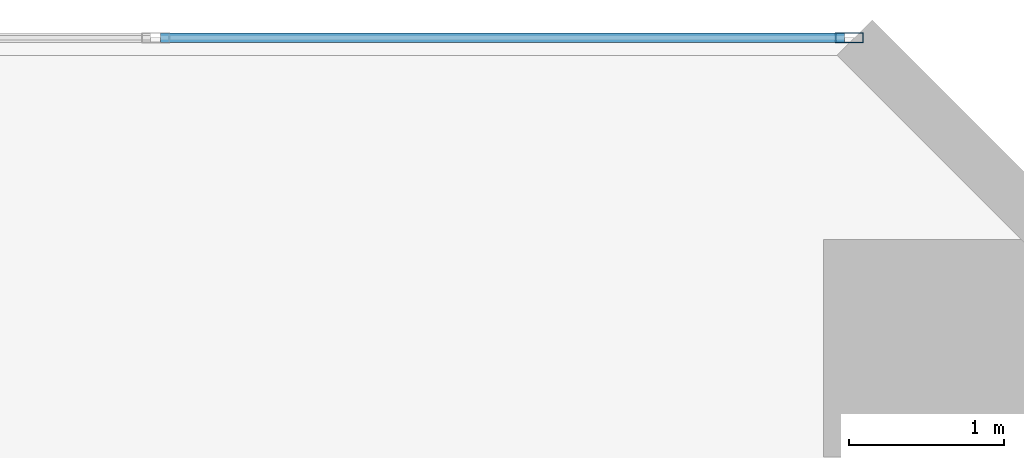
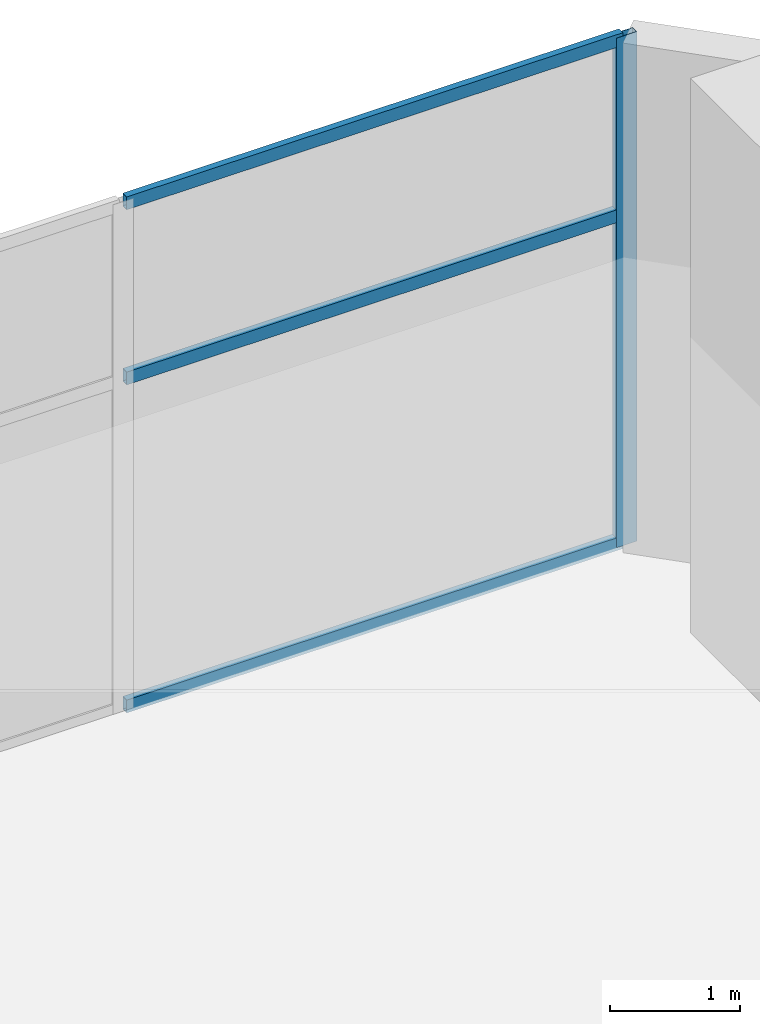
# One storey, part 15 of 29: 4 members, 1 element without a shape of its own.
"""IFC4 building model written with IfcOpenShell, lengths in metres."""

from ifc_helpers import new_model, si_unit, direction, frame, origin, origin_2d, place, context, subcontext, project, spatial, hollow_rectangle, extrude, material, layer, layer_set, material_profile, profile_set, type_object, element, aggregate, save


model = new_model("IFC4")

# Units and contexts
model_context = context("Model", 3, precision=1e-05, world=origin(), true_north=direction((0.0, 1.0)))
body_context = subcontext(model_context, "Body", "Model", "MODEL_VIEW")
ifc_project = project(units=[si_unit("LENGTHUNIT", "METRE"), si_unit("AREAUNIT", "SQUARE_METRE"), si_unit("VOLUMEUNIT", "CUBIC_METRE"), si_unit("PLANEANGLEUNIT", "RADIAN"), si_unit("MASSUNIT", "GRAM", prefix="KILO")], contexts=[model_context])

# Site, building, storey
site_placement = place(None, origin())
site = spatial("IfcSite", under=ifc_project, at=site_placement, CompositionType="ELEMENT")
building_placement = place(site_placement, origin())
building = spatial("IfcBuilding", under=site, at=building_placement, Name="Mawjaban Terraces University", CompositionType="ELEMENT")
storey_placement = place(building_placement, frame((0.0, 0.0, 20.800048828125)))
storey = spatial("IfcBuildingStorey", under=building, at=storey_placement, Name="L04", CompositionType="ELEMENT", Elevation=20.800048828125)

# Curtain wall, members
ifc_material_1 = material(Name="Anodised aluminium 6063-T6 and solar-control low-E glass", Category="aluminium")
ifc_layer = layer(ifc_material_1, 0.175048828125)
ifc_layer_set = layer_set([ifc_layer], Name="Anodised aluminium 6063-T6 and solar-control low-E glass")
curtain_wall_type = type_object("IfcCurtainWallType", Name="CWSystem_02_PodiumLibrary", PredefinedType="NOTDEFINED", material=ifc_layer_set)
curtain_wall_placement = place(storey_placement, origin())
curtain_wall = element("IfcCurtainWall", 1, at=curtain_wall_placement, inside=storey, type_object=curtain_wall_type, Name="L04 Curtain Wall CW-02 Run 8.1", PredefinedType="NOTDEFINED")
ifc_material_2 = material(Name="Anodised aluminium 6063-T6", Category="aluminium")
ifc_material_profile_1 = material_profile(ifc_material_2, hollow_rectangle(XDim=0.06494140625, YDim=0.179931640625, WallThickness=0.00390625, at=origin_2d()), Name="ALU180X65X4")
ifc_profile_set_1 = profile_set([ifc_material_profile_1], Name="Anodised aluminium 6063-T6")
member_type_1 = type_object("IfcMemberType", Name="Mullion_CW-02", PredefinedType="MULLION", material=ifc_profile_set_1)
member_1_placement = place(storey_placement, frame((51.467529296875, 54.0, 0.0), z_axis=(0.0, 0.0, 1.0), x_axis=(0.0, -1.0, 0.0)))
member_1 = element("IfcMember", 2, at=member_1_placement, type_object=member_type_1, Name="CW-02 mullion 1", PredefinedType="MULLION", context=body_context, shape_type="SweptSolid", body=[
    extrude(hollow_rectangle(XDim=0.06494140625, YDim=0.179931640625, WallThickness=0.00390625, at=origin_2d()), origin(), (0.0, 0.0, 1.0), 4.780029296875),
])
ifc_material_profile_2 = material_profile(ifc_material_2, hollow_rectangle(XDim=0.06005859375, YDim=0.1201171875, WallThickness=0.00341796875, at=origin_2d()), Name="ALU120X60X3.5")
ifc_profile_set_2 = profile_set([ifc_material_profile_2], Name="Anodised aluminium 6063-T6")
member_type_2 = type_object("IfcMemberType", Name="Transom_CW-02", PredefinedType="NOTDEFINED", material=ifc_profile_set_2)
member_2_placement = place(storey_placement, frame((51.43505859375, 54.0, 0.030029296875), z_axis=(-1.0, 0.0, 0.0), x_axis=(0.0, -1.0, 0.0)))
member_2 = element("IfcMember", 3, at=member_2_placement, type_object=member_type_2, Name="CW-02 transom 1.1", ObjectType="TRANSOM", PredefinedType="USERDEFINED", context=body_context, shape_type="SweptSolid", body=[
    extrude(hollow_rectangle(XDim=0.06005859375, YDim=0.1201171875, WallThickness=0.00341796875, at=origin_2d()), origin(), (0.0, 0.0, 1.0), 4.402587890625),
])
member_3_placement = place(storey_placement, frame((51.43505859375, 54.0, 3.10693359375), z_axis=(-1.0, 0.0, 0.0), x_axis=(0.0, -1.0, 0.0)))
member_3 = element("IfcMember", 4, at=member_3_placement, type_object=member_type_2, Name="CW-02 transom 1.2", ObjectType="TRANSOM", PredefinedType="USERDEFINED", context=body_context, shape_type="SweptSolid", body=[
    extrude(hollow_rectangle(XDim=0.06005859375, YDim=0.1201171875, WallThickness=0.00341796875, at=origin_2d()), origin(), (0.0, 0.0, 1.0), 4.402587890625),
])
member_4_placement = place(storey_placement, frame((51.43505859375, 54.0, 4.75), z_axis=(-1.0, 0.0, 0.0), x_axis=(0.0, -1.0, 0.0)))
member_4 = element("IfcMember", 5, at=member_4_placement, type_object=member_type_2, Name="CW-02 transom 1.3", ObjectType="TRANSOM", PredefinedType="USERDEFINED", context=body_context, shape_type="SweptSolid", body=[
    extrude(hollow_rectangle(XDim=0.06005859375, YDim=0.1201171875, WallThickness=0.00341796875, at=origin_2d()), origin(), (0.0, 0.0, 1.0), 4.402587890625),
])
aggregate(curtain_wall, [member_1, member_2, member_3, member_4])

save(model, "model.ifc")
